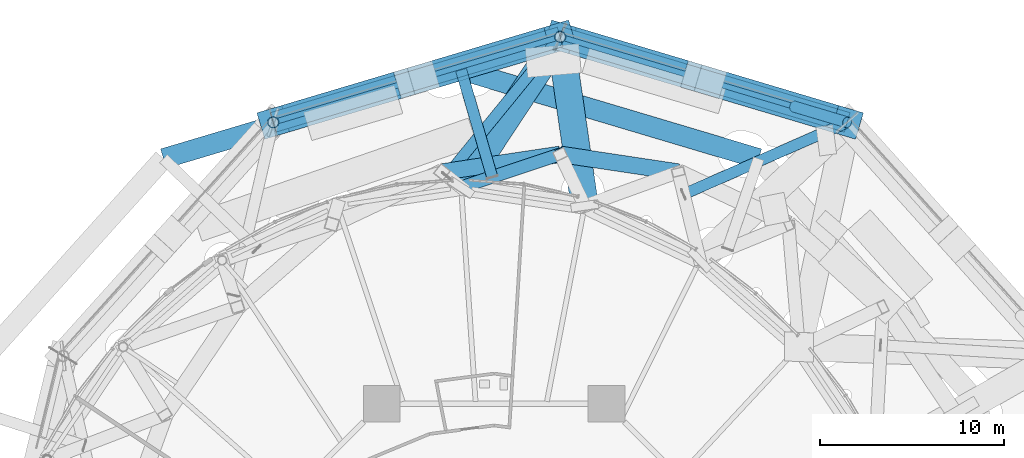
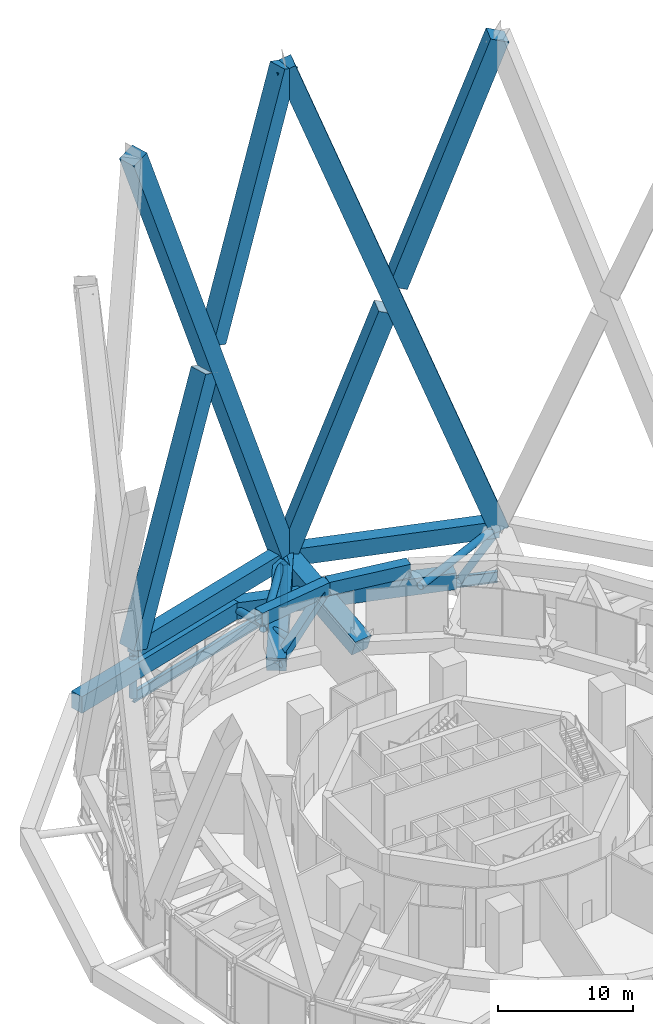
# One storey, part 35 of 49: 18 members, 5 beams.
"""IFC4 building model written with IfcOpenShell, lengths in metres."""

import ifcopenshell
import ifcopenshell.guid

model = None  # the IFC model being written
_history = None  # IfcOwnerHistory: only IFC2X3 demands one
_inside = {}  # id of a spatial element -> (the spatial element, [elements in it])
_under = {}  # id of a project, library or spatial element -> (it, [spatial elements below it])
_declared = {}  # id of a project -> (the project, [libraries it declares])
_typed = {}  # id of a type object -> (the type object, [elements of that type])
_made_of = {}  # id of a material, layer set ... -> (it, [elements and type objects made of it])


def new_model(schema):
    """Start an empty IFC model of exactly this schema.

    Asked for "IFC4X3", IfcOpenShell would pick the latest addendum, in which some entities
    have other attributes; the version numbers below select the first issue.
    IFC2X3 requires an IfcOwnerHistory on every rooted entity: one is made here for all.
    """
    global model, _history
    if schema == "IFC4X3":
        model = ifcopenshell.file(schema_version=(4, 3, 0, 0))
    else:
        model = ifcopenshell.file(schema=schema)
    _inside.clear()
    _under.clear()
    _declared.clear()
    _typed.clear()
    _made_of.clear()
    _history = None
    if model.schema == "IFC2X3":
        org = make("IfcOrganization", Name="unknown")
        user = make(
            "IfcPersonAndOrganization",
            ThePerson=make("IfcPerson", FamilyName="unknown"),
            TheOrganization=org,
        )
        app = make(
            "IfcApplication",
            ApplicationDeveloper=org,
            Version="unknown",
            ApplicationFullName="unknown",
            ApplicationIdentifier="unknown",
        )
        _history = make(
            "IfcOwnerHistory",
            OwningUser=user,
            OwningApplication=app,
            ChangeAction="ADDED",
            CreationDate=0,
        )
    return model


def make(cls, **values):
    """One entity of the class cls with the attributes given. An attribute that is None is left unset."""
    return model.create_entity(
        cls, **{name: value for name, value in values.items() if value is not None}
    )


def rooted(cls, **values):
    """An entity with a GlobalId (a new one), such as an element, a storey or a relation."""
    return make(cls, GlobalId=ifcopenshell.guid.new(), OwnerHistory=_history, **values)


def si_unit(unit_type, name, prefix=None):
    """IfcSIUnit, for example si_unit("LENGTHUNIT", "METRE", prefix="MILLI")."""
    return make("IfcSIUnit", UnitType=unit_type, Prefix=prefix, Name=name)


def assignment(units):
    """IfcUnitAssignment: the units of a project."""
    return None if units is None else make("IfcUnitAssignment", Units=units)


def point(xyz):
    """IfcCartesianPoint."""
    return None if xyz is None else make("IfcCartesianPoint", Coordinates=xyz)


def direction(xyz):
    """IfcDirection."""
    return None if xyz is None else make("IfcDirection", DirectionRatios=xyz)


def frame(location, z_axis=None, x_axis=None):
    """IfcAxis2Placement3D, a coordinate frame: its origin and axes. An axis left out is left unset."""
    return make(
        "IfcAxis2Placement3D",
        Location=point(location),
        Axis=direction(z_axis),
        RefDirection=direction(x_axis),
    )


def frame_2d(location, x_axis=None):
    """IfcAxis2Placement2D, a coordinate frame in the plane: its origin and x axis."""
    return make(
        "IfcAxis2Placement2D", Location=point(location), RefDirection=direction(x_axis)
    )


def origin():
    """The frame at (0, 0, 0) with its axes left unset."""
    return frame((0.0, 0.0, 0.0))


def origin_2d():
    """The frame at (0, 0) in the plane with its x axis left unset."""
    return frame_2d((0.0, 0.0))


def place(relative_to, where):
    """IfcLocalPlacement: puts the frame where relative to a parent placement (None: the world)."""
    return make(
        "IfcLocalPlacement", PlacementRelTo=relative_to, RelativePlacement=where
    )


def context(
    kind, dimensions, precision=None, world=None, true_north=None, identifier=None
):
    """IfcGeometricRepresentationContext, for example the 3D "Model" context."""
    return make(
        "IfcGeometricRepresentationContext",
        ContextIdentifier=identifier,
        ContextType=kind,
        CoordinateSpaceDimension=dimensions,
        Precision=precision,
        WorldCoordinateSystem=world,
        TrueNorth=true_north,
    )


def subcontext(parent, identifier, kind, view, scale=None):
    """IfcGeometricRepresentationSubContext, for example "Body" below "Model"."""
    return make(
        "IfcGeometricRepresentationSubContext",
        ContextIdentifier=identifier,
        ContextType=kind,
        ParentContext=parent,
        TargetScale=scale,
        TargetView=view,
    )


def project(units=None, contexts=None):
    """IfcProject with its units and contexts."""
    return rooted(
        "IfcProject",
        Name="project",
        RepresentationContexts=contexts,
        UnitsInContext=assignment(units),
    )


def spatial(cls, under=None, at=None, **own):
    """A site, building, storey or space (cls), placed at a placement, below another one or the project."""
    s = rooted(cls, ObjectPlacement=at, **own)
    if under is not None:
        _under.setdefault(under.id(), (under, []))[1].append(s)
    return s


def profile(cls, at=None, kind="AREA", **sizes):
    """A parametric profile (cls). Its sizes go by their IFC names, for example OverallWidth=200.0."""
    return make(cls, ProfileType=kind, Position=at, **sizes)


def rectangle(**sizes):
    """IfcRectangleProfileDef."""
    return profile("IfcRectangleProfileDef", **sizes)


def hollow_rectangle(**sizes):
    """IfcRectangleHollowProfileDef."""
    return profile("IfcRectangleHollowProfileDef", **sizes)


def hollow_circle(**sizes):
    """IfcCircleHollowProfileDef."""
    return profile("IfcCircleHollowProfileDef", **sizes)


def i_section(**sizes):
    """IfcIShapeProfileDef."""
    return profile("IfcIShapeProfileDef", **sizes)


def extrude(swept, where, along, depth):
    """IfcExtrudedAreaSolid: the profile swept, set in the frame where, extruded along a direction by depth."""
    return make(
        "IfcExtrudedAreaSolid",
        SweptArea=swept,
        Position=where,
        ExtrudedDirection=direction(along),
        Depth=depth,
    )


def shape(context_of_items, identifier, shape_type, items):
    """IfcShapeRepresentation: the items that make up one representation, for example the "Body"."""
    return make(
        "IfcShapeRepresentation",
        ContextOfItems=context_of_items,
        RepresentationIdentifier=identifier,
        RepresentationType=shape_type,
        Items=items,
    )


def material(Name=None, Category=None):
    """IfcMaterial."""
    return make("IfcMaterial", Name=Name, Category=Category)


def material_profile(
    of_material, cross_section, Name=None, Category=None, Priority=None
):
    """IfcMaterialProfile: a cross section and its material."""
    return make(
        "IfcMaterialProfile",
        Name=Name,
        Material=of_material,
        Profile=cross_section,
        Priority=Priority,
        Category=Category,
    )


def profile_set(profiles, Name=None, composite=None):
    """IfcMaterialProfileSet."""
    return make(
        "IfcMaterialProfileSet",
        Name=Name,
        MaterialProfiles=profiles,
        CompositeProfile=composite,
    )


def made_of(thing, what):
    """Note that an element or type object is made of a material, layer set ...; save() writes the relation."""
    if what is not None:
        _made_of.setdefault(what.id(), (what, []))[1].append(thing)
    return thing


def type_object(cls, material=None, **own):
    """A type object (cls), such as IfcWallType, which elements share."""
    return made_of(rooted(cls, **own), material)


def element(
    cls,
    number,
    at=None,
    inside=None,
    cuts=None,
    type_object=None,
    material=None,
    context=None,
    identifier="Body",
    shape_type=None,
    held_by="IfcProductDefinitionShape",
    body=None,
    shapes=None,
    **own,
):
    """One element of the class cls, such as IfcWall. Its Tag is "e" and its number.

    at: its placement. inside: the storey or other place that contains it. cuts: it is an
    opening in that element (IfcRelVoidsElement). A single representation is given by context,
    identifier, shape_type and body (its items); several are given by shapes. held_by: the class
    of the entity that holds the representations. save() writes the other relations.
    """
    e = rooted(cls, Tag="e%d" % number, ObjectPlacement=at, **own)
    if body is not None:
        shapes = [shape(context, identifier, shape_type, body)]
    if shapes is not None:
        e.Representation = make(held_by, Representations=shapes)
    if inside is not None:
        _inside.setdefault(inside.id(), (inside, []))[1].append(e)
    if cuts is not None:
        rooted(
            "IfcRelVoidsElement", RelatingBuildingElement=cuts, RelatedOpeningElement=e
        )
    if type_object is not None:
        _typed.setdefault(type_object.id(), (type_object, []))[1].append(e)
    return made_of(e, material)


def aggregate(whole, parts):
    """IfcRelAggregates: a whole, such as a stair, and the parts it consists of."""
    return rooted("IfcRelAggregates", RelatingObject=whole, RelatedObjects=parts)


def save(model, path):
    """Write the relations noted so far, then the file.

    IfcRelAggregates (storeys below a building ...), IfcRelContainedInSpatialStructure (elements
    in a storey), IfcRelDefinesByType, IfcRelAssociatesMaterial and IfcRelDeclares: one each for
    every whole, place, type object, material and project.
    """
    for whole, parts in _under.values():
        aggregate(whole, parts)
    for where, things in _inside.values():
        rooted(
            "IfcRelContainedInSpatialStructure",
            RelatedElements=things,
            RelatingStructure=where,
        )
    for kind, things in _typed.values():
        rooted("IfcRelDefinesByType", RelatedObjects=things, RelatingType=kind)
    for what, things in _made_of.values():
        rooted("IfcRelAssociatesMaterial", RelatedObjects=things, RelatingMaterial=what)
    for by, libraries in _declared.values():
        rooted("IfcRelDeclares", RelatingContext=by, RelatedDefinitions=libraries)
    model.write(path)


model = new_model("IFC4")

# Units and contexts
model_context = context("Model", 3, precision=1e-05, world=origin(), true_north=direction((0.0, 1.0)))
body_context = subcontext(model_context, "Body", "Model", "MODEL_VIEW")
ifc_project = project(units=[si_unit("LENGTHUNIT", "METRE"), si_unit("AREAUNIT", "SQUARE_METRE"), si_unit("VOLUMEUNIT", "CUBIC_METRE"), si_unit("PLANEANGLEUNIT", "RADIAN"), si_unit("MASSUNIT", "GRAM", prefix="KILO")], contexts=[model_context])

# Site, building, storey
site_placement = place(None, origin())
site = spatial("IfcSite", under=ifc_project, at=site_placement, CompositionType="ELEMENT")
building_placement = place(site_placement, origin())
building = spatial("IfcBuilding", under=site, at=building_placement, Name="Nagisa Residences", CompositionType="ELEMENT")
storey_placement = place(building_placement, frame((0.0, 0.0, 160.300048828125)))
storey = spatial("IfcBuildingStorey", under=building, at=storey_placement, Name="L40", CompositionType="ELEMENT", Elevation=160.300048828125)

# Beams
ifc_material_1 = material(Name="Steel ASTM A572 Gr 50", Category="steel")
ifc_material_profile_1 = material_profile(ifc_material_1, hollow_rectangle(XDim=0.89990234375, YDim=1.199951171875, WallThickness=0.044921875, at=origin_2d()), Name="BX 900x1200x45")
ifc_profile_set_1 = profile_set([ifc_material_profile_1], Name="Steel ASTM A572 Gr 50")
beam_type_1 = type_object("IfcBeamType", Name="Belt chord 3 BX 900x1200x45", PredefinedType="BEAM", material=ifc_profile_set_1)
beam_1_placement = place(storey_placement, frame((10.0380859375, 27.408203125, 4.739990234375), z_axis=(-0.988911582679, 0.148505493645, 0.0), x_axis=(-0.148505493645, -0.988911582679, 0.0)))
element("IfcBeam", 1, at=beam_1_placement, inside=storey, type_object=beam_type_1, Name="beam:L40:bt3t06", PredefinedType="BEAM", context=body_context, shape_type="SweptSolid", body=[
    extrude(hollow_rectangle(XDim=0.89990234375, YDim=1.199951171875, WallThickness=0.044921875, at=origin_2d()), origin(), (0.0, 0.0, 1.0), 6.51025390625),
])
beam_2_placement = place(storey_placement, frame((3.60009765625, 28.375, 4.739990234375), z_axis=(-0.988912409684, -0.148499986438, 0.0), x_axis=(0.148499986438, -0.988912409684, 0.0)))
element("IfcBeam", 2, at=beam_2_placement, inside=storey, type_object=beam_type_1, Name="beam:L40:bt3t07", PredefinedType="BEAM", context=body_context, shape_type="SweptSolid", body=[
    extrude(hollow_rectangle(XDim=0.89990234375, YDim=1.199951171875, WallThickness=0.044921875, at=origin_2d()), origin(), (0.0, 0.0, 1.0), 6.510498046875),
])
ifc_material_2 = material(Name="Steel ASTM A572 Gr 50", Category="steel")
ifc_material_profile_2 = material_profile(ifc_material_2, hollow_rectangle(XDim=0.699951171875, YDim=0.699951171875, WallThickness=0.0400390625, at=origin_2d()), Name="BX 700x700x40")
ifc_profile_set_2 = profile_set([ifc_material_profile_2], Name="Steel ASTM A572 Gr 50")
beam_type_2 = type_object("IfcBeamType", Name="Belt diagonal 3 BX 700x700x40", PredefinedType="BEAM", material=ifc_profile_set_2)
beam_3_placement = place(storey_placement, frame((-1.800048828125, 26.577392578125, 0.599853515625), z_axis=(0.767282207023, 0.255413847385, 0.588253160934), x_axis=(-0.315841677752, 0.948811906858, 0.0)))
element("IfcBeam", 3, at=beam_3_placement, inside=storey, type_object=beam_type_2, Name="beam:L40:bt3da07", PredefinedType="BEAM", context=body_context, shape_type="SweptSolid", body=[
    extrude(hollow_rectangle(XDim=0.699951171875, YDim=0.699951171875, WallThickness=0.0400390625, at=origin_2d()), origin(), (0.0, 0.0, 1.0), 7.0380859375),
])

# Members
ifc_material_3 = material(Name="Concrete C80", Category="concrete")
ifc_material_profile_3 = material_profile(ifc_material_3, rectangle(XDim=1.5, YDim=1.5, at=origin_2d()), Name="C80 1500x1500")
ifc_profile_set_3 = profile_set([ifc_material_profile_3], Name="Concrete C80")
member_type_1 = type_object("IfcMemberType", Name="Cage bracket 4 C80 1500x1500", PredefinedType="BRACE", material=ifc_profile_set_3)
member_1_placement = place(storey_placement, frame((3.60009765625, 34.77490234375, 3.699951171875), z_axis=(0.136419707885, -0.938884185518, -0.316047701281), x_axis=(0.989608237425, 0.143789903752, 0.0)))
element("IfcMember", 4, at=member_1_placement, inside=storey, type_object=member_type_1, Name="mem:L40:cg3ob07", PredefinedType="BRACE", context=body_context, shape_type="SweptSolid", body=[
    extrude(rectangle(XDim=1.5, YDim=1.5, at=origin_2d()), origin(), (0.0, 0.0, 1.0), 9.808837890625),
])
member_2_placement = place(storey_placement, frame((3.60009765625, 34.77490234375, 3.699951171875), z_axis=(-0.524579481124, -0.796320142759, -0.301148797473), x_axis=(0.835087264477, -0.550117497184, 0.0)))
element("IfcMember", 5, at=member_2_placement, inside=storey, type_object=member_type_1, Name="mem:L40:cg3ob08", PredefinedType="BRACE", context=body_context, shape_type="SweptSolid", body=[
    extrude(rectangle(XDim=1.5, YDim=1.5, at=origin_2d()), origin(), (0.0, 0.0, 1.0), 10.294189453125),
])
ifc_material_4 = material(Name="Concrete C80", Category="concrete")
ifc_material_profile_4 = material_profile(ifc_material_4, rectangle(XDim=1.5, YDim=1.5, at=origin_2d()), Name="C80 1500x1500")
ifc_profile_set_4 = profile_set([ifc_material_profile_4], Name="Concrete C80")
member_type_2 = type_object("IfcMemberType", Name="Cage diagonal 4 C80 1500x1500", PredefinedType="BRACE", material=ifc_profile_set_4)
member_3_placement = place(storey_placement, frame((19.237548828125, 30.115966796875, 3.699951171875), z_axis=(-0.3299241838, 0.098295783039, 0.938875908723), x_axis=(-0.285531266501, -0.958369394258, 0.0)))
element("IfcMember", 6, at=member_3_placement, inside=storey, type_object=member_type_2, Name="mem:L40:cg4d005", PredefinedType="BRACE", context=body_context, shape_type="SweptSolid", body=[
    extrude(rectangle(XDim=1.5, YDim=1.5, at=origin_2d()), origin(), (0.0, 0.0, 1.0), 47.397216796875),
])
for number, where, z_axis, x_axis, name in (
    (7, (3.60009765625, 34.77490234375, 3.699951171875), (0.329918579066, -0.09829158034, 0.938878318219), (0.285524508722, 0.958371407607, 0.0), "mem:L40:cg4d006a"),
    (8, (11.794921875, 32.33349609375, 27.0205078125), (0.3299278727, -0.098301947441, 0.938873967019), (0.285544780584, 0.958365367843, 0.0), "mem:L40:cg4d006b"),
):
    element("IfcMember", number, at=place(storey_placement, frame(where, z_axis=z_axis, x_axis=x_axis)), inside=storey, type_object=member_type_2, Name=name, PredefinedType="BRACE", context=body_context, shape_type="SweptSolid", body=[
        extrude(rectangle(XDim=1.5, YDim=1.5, at=origin_2d()), origin(), (0.0, 0.0, 1.0), 22.558349609375),
    ])
member_4_placement = place(storey_placement, frame((3.60009765625, 34.77490234375, 3.699951171875), z_axis=(-0.329928774067, -0.098295615992, 0.938874313164), x_axis=(0.285527172125, -0.958370614104, 0.0)))
element("IfcMember", 9, at=member_4_placement, inside=storey, type_object=member_type_2, Name="mem:L40:cg4d007", PredefinedType="BRACE", context=body_context, shape_type="SweptSolid", body=[
    extrude(rectangle(XDim=1.5, YDim=1.5, at=origin_2d()), origin(), (0.0, 0.0, 1.0), 47.397216796875),
])
for number, where, z_axis, x_axis, name in (
    (10, (-12.03759765625, 30.115966796875, 3.699951171875), (0.3299278727, 0.098301947441, 0.938873967019), (-0.285544780584, 0.958365367843, 0.0), "mem:L40:cg4d008a"),
    (11, (-3.842529296875, 32.5576171875, 27.0205078125), (0.329928223686, 0.098291229376, 0.93887496582), (-0.285515906184, 0.958373970492, 0.0), "mem:L40:cg4d008b"),
):
    element("IfcMember", number, at=place(storey_placement, frame(where, z_axis=z_axis, x_axis=x_axis)), inside=storey, type_object=member_type_2, Name=name, PredefinedType="BRACE", context=body_context, shape_type="SweptSolid", body=[
        extrude(rectangle(XDim=1.5, YDim=1.5, at=origin_2d()), origin(), (0.0, 0.0, 1.0), 22.558349609375),
    ])
ifc_material_5 = material(Name="Concrete C80", Category="concrete")
ifc_material_profile_5 = material_profile(ifc_material_5, rectangle(XDim=1.10009765625, YDim=1.5, at=origin_2d()), Name="C80 1100x1500")
ifc_profile_set_5 = profile_set([ifc_material_profile_5], Name="Concrete C80")
member_type_3 = type_object("IfcMemberType", Name="Cage ring 3 C80 1100x1500", PredefinedType="CHORD", material=ifc_profile_set_5)
for number, where, z_axis, x_axis, name in (
    (12, (14.41748046875, 28.1416015625, 1.89990234375), (-0.958305781736, 0.285744691448, 0.0), (-0.285744691448, -0.958305781736, 0.0), "beam:L40:cg3r103"),
    (13, (-1.800048828125, 32.977294921875, 1.89990234375), (-0.958305781736, -0.285744691448, 0.0), (0.285744691448, -0.958305781736, 0.0), "beam:L40:cg3r104"),
):
    element("IfcMember", number, at=place(storey_placement, frame(where, z_axis=z_axis, x_axis=x_axis)), inside=storey, type_object=member_type_3, Name=name, PredefinedType="CHORD", context=body_context, shape_type="SweptSolid", body=[
        extrude(rectangle(XDim=1.10009765625, YDim=1.5, at=origin_2d()), origin(), (0.0, 0.0, 1.0), 16.923095703125),
    ])
ifc_material_6 = material(Name="Concrete C80", Category="concrete")
ifc_material_profile_6 = material_profile(ifc_material_6, rectangle(XDim=1.10009765625, YDim=1.5, at=origin_2d()), Name="C80 1100x1500")
ifc_profile_set_6 = profile_set([ifc_material_profile_6], Name="Concrete C80")
member_type_4 = type_object("IfcMemberType", Name="Cage ring 4 C80 1100x1500", PredefinedType="CHORD", material=ifc_profile_set_6)
member_5_placement = place(storey_placement, frame((19.237548828125, 30.115966796875, 3.699951171875), z_axis=(-0.958369394258, 0.285531266501, 0.0), x_axis=(-0.285531266501, -0.958369394258, 0.0)))
element("IfcMember", 14, at=member_5_placement, inside=storey, type_object=member_type_4, Name="beam:L40:cg4r003", PredefinedType="CHORD", context=body_context, shape_type="SweptSolid", body=[
    extrude(rectangle(XDim=1.10009765625, YDim=1.5, at=origin_2d()), origin(), (0.0, 0.0, 1.0), 16.316650390625),
])
member_6_placement = place(storey_placement, frame((3.60009765625, 34.77490234375, 3.699951171875), z_axis=(-0.958370614104, -0.285527172125, 0.0), x_axis=(0.285527172125, -0.958370614104, 0.0)))
element("IfcMember", 15, at=member_6_placement, inside=storey, type_object=member_type_4, Name="beam:L40:cg4r004", PredefinedType="CHORD", context=body_context, shape_type="SweptSolid", body=[
    extrude(rectangle(XDim=1.10009765625, YDim=1.5, at=origin_2d()), origin(), (0.0, 0.0, 1.0), 16.31689453125),
])
ifc_material_7 = material(Name="Steel ASTM A572 Gr 65", Category="steel")
ifc_material_profile_7 = material_profile(ifc_material_7, hollow_circle(Radius=0.304931640625, WallThickness=0.02490234375, at=origin_2d()), Name="CHS 610x25")
ifc_profile_set_7 = profile_set([ifc_material_profile_7], Name="Steel ASTM A572 Gr 65")
member_type_5 = type_object("IfcMemberType", Name="Cage strut CHS 610x25", PredefinedType="STRUT", material=ifc_profile_set_7)
member_7_placement = place(storey_placement, frame((-1.800048828125, 32.977294921875, 1.89990234375), z_axis=(0.279058795323, -0.960274017535, 0.0), x_axis=(0.960274017535, 0.279058795323, 0.0)))
element("IfcMember", 16, at=member_7_placement, inside=storey, type_object=member_type_5, Name="mem:L40:bt3st3a04", PredefinedType="STRUT", context=body_context, shape_type="SweptSolid", body=[
    extrude(hollow_circle(Radius=0.304931640625, WallThickness=0.02490234375, at=origin_2d()), origin(), (0.0, 0.0, 1.0), 6.076904296875),
])
member_8_placement = place(storey_placement, frame((19.237548828125, 30.115966796875, 3.699951171875), z_axis=(-0.915365732299, -0.402623367595, 0.0), x_axis=(0.402623367595, -0.915365732299, 0.0)))
element("IfcMember", 17, at=member_8_placement, inside=storey, type_object=member_type_5, Name="mem:L40:bt3st4b03", PredefinedType="STRUT", context=body_context, shape_type="SweptSolid", body=[
    extrude(hollow_circle(Radius=0.304931640625, WallThickness=0.02490234375, at=origin_2d()), origin(), (0.0, 0.0, 1.0), 9.726318359375),
])
member_9_placement = place(storey_placement, frame((3.60009765625, 34.77490234375, 3.699951171875), z_axis=(-0.631974780618, -0.774988952607, 0.0), x_axis=(0.774988952607, -0.631974780618, 0.0)))
element("IfcMember", 18, at=member_9_placement, inside=storey, type_object=member_type_5, Name="mem:L40:bt3st4b04", PredefinedType="STRUT", context=body_context, shape_type="SweptSolid", body=[
    extrude(hollow_circle(Radius=0.304931640625, WallThickness=0.02490234375, at=origin_2d()), origin(), (0.0, 0.0, 1.0), 9.77490234375),
])

# Beams
ifc_material_8 = material(Name="Steel ASTM A572 Gr 50", Category="steel")
ifc_material_profile_8 = material_profile(ifc_material_8, i_section(OverallWidth=0.300048828125, OverallDepth=0.97998046875, WebThickness=0.0166015625, FlangeThickness=0.02587890625, at=origin_2d()), Name="W1000x249")
ifc_profile_set_8 = profile_set([ifc_material_profile_8], Name="Steel ASTM A572 Gr 50")
beam_type_3 = type_object("IfcBeamType", Name="Deck edge beam W1000x249", PredefinedType="BEAM", material=ifc_profile_set_8)
beam_4_placement = place(storey_placement, frame((19.237548828125, 30.115966796875, -0.89013671875), z_axis=(-0.958369394258, 0.285531266501, 0.0), x_axis=(-0.285531266501, -0.958369394258, 0.0)))
element("IfcBeam", 19, at=beam_4_placement, inside=storey, type_object=beam_type_3, Name="beam:L40:deckedge03", PredefinedType="BEAM", context=body_context, shape_type="SweptSolid", body=[
    extrude(i_section(OverallWidth=0.300048828125, OverallDepth=0.97998046875, WebThickness=0.0166015625, FlangeThickness=0.02587890625, at=origin_2d()), origin(), (0.0, 0.0, 1.0), 16.316650390625),
])
beam_5_placement = place(storey_placement, frame((3.60009765625, 34.77490234375, -0.89013671875), z_axis=(-0.958370614104, -0.285527172125, 0.0), x_axis=(0.285527172125, -0.958370614104, 0.0)))
element("IfcBeam", 20, at=beam_5_placement, inside=storey, type_object=beam_type_3, Name="beam:L40:deckedge04", PredefinedType="BEAM", context=body_context, shape_type="SweptSolid", body=[
    extrude(i_section(OverallWidth=0.300048828125, OverallDepth=0.97998046875, WebThickness=0.0166015625, FlangeThickness=0.02587890625, at=origin_2d()), origin(), (0.0, 0.0, 1.0), 16.31689453125),
])

# Members
ifc_material_9 = material(Name="Steel ASTM A572 Gr 65", Category="steel")
ifc_material_profile_9 = material_profile(ifc_material_9, hollow_circle(Radius=0.304931640625, WallThickness=0.02490234375, at=origin_2d()), Name="CHS 610x25")
ifc_profile_set_9 = profile_set([ifc_material_profile_9], Name="Steel ASTM A572 Gr 65")
member_type_6 = type_object("IfcMemberType", Name="Deck hanger CHS 610x25", PredefinedType="POST", material=ifc_profile_set_9)
for number, where, z_axis, x_axis, name in (
    (21, (3.60009765625, 34.77490234375, 2.949951171875), (0.0, 0.0, -1.0), (1.0, 0.0, 0.0), "mem:L40:deckhanger04"),
    (22, (-12.03759765625, 30.115966796875, 2.949951171875), (0.0, 0.0, -1.0), (1.0, 0.0, 0.0), "mem:L40:deckhanger05"),
):
    element("IfcMember", number, at=place(storey_placement, frame(where, z_axis=z_axis, x_axis=x_axis)), inside=storey, type_object=member_type_6, Name=name, PredefinedType="POST", context=body_context, shape_type="SweptSolid", body=[
        extrude(hollow_circle(Radius=0.304931640625, WallThickness=0.02490234375, at=origin_2d()), origin(), (0.0, 0.0, 1.0), 3.840087890625),
    ])
ifc_material_10 = material(Name="Steel ASTM A572 Gr 65", Category="steel")
ifc_material_profile_10 = material_profile(ifc_material_10, hollow_circle(Radius=0.304931640625, WallThickness=0.02490234375, at=origin_2d()), Name="CHS 610x25")
ifc_profile_set_10 = profile_set([ifc_material_profile_10], Name="Steel ASTM A572 Gr 65")
member_type_7 = type_object("IfcMemberType", Name="Raked deck hanger CHS 610x25", PredefinedType="BRACE", material=ifc_profile_set_10)
member_10_placement = place(storey_placement, frame((19.237548828125, 30.115966796875, 3.300048828125), z_axis=(-0.557920260888, 0.166234371695, -0.81307509872), x_axis=(-0.285548149255, -0.958364364142, 0.0)))
element("IfcMember", 23, at=member_10_placement, inside=storey, type_object=member_type_7, Name="mem:L40:deckhanger03", PredefinedType="BRACE", context=body_context, shape_type="SweptSolid", body=[
    extrude(hollow_circle(Radius=0.304931640625, WallThickness=0.02490234375, at=origin_2d()), origin(), (0.0, 0.0, 1.0), 5.153564453125),
])

save(model, "model.ifc")
